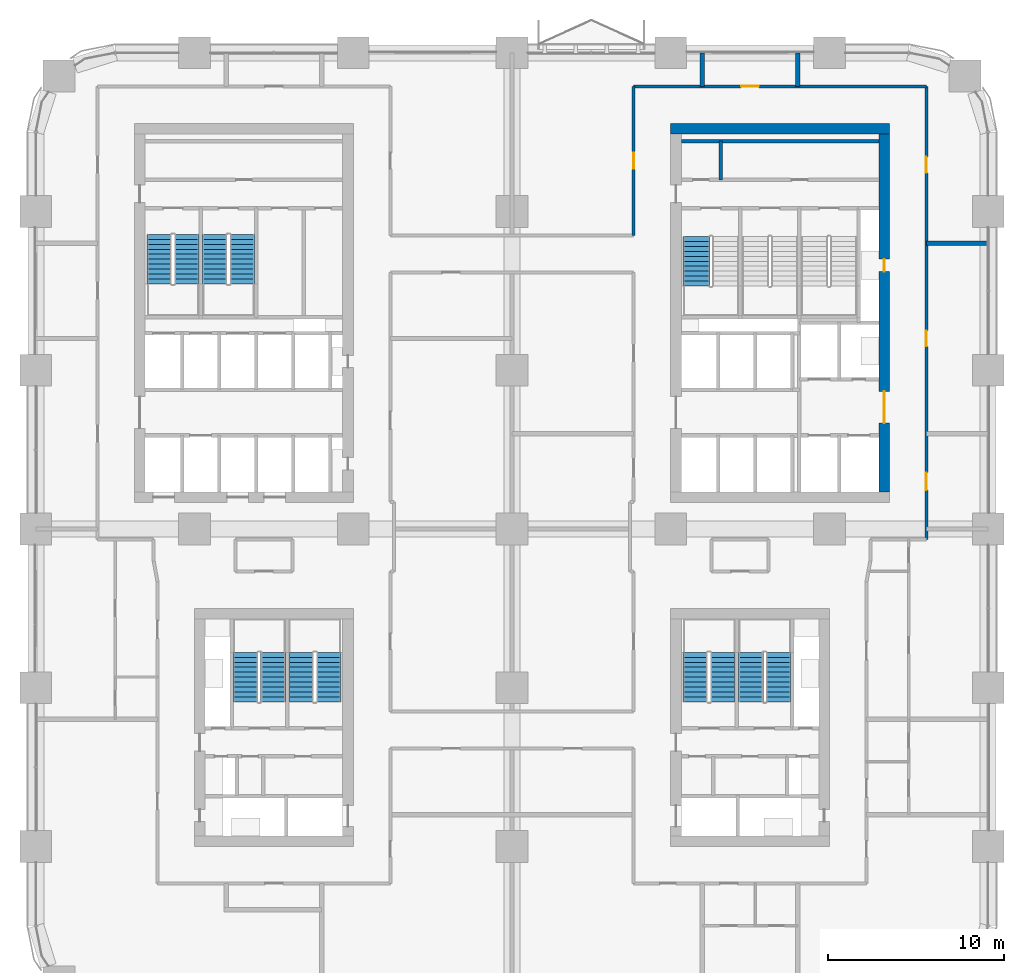
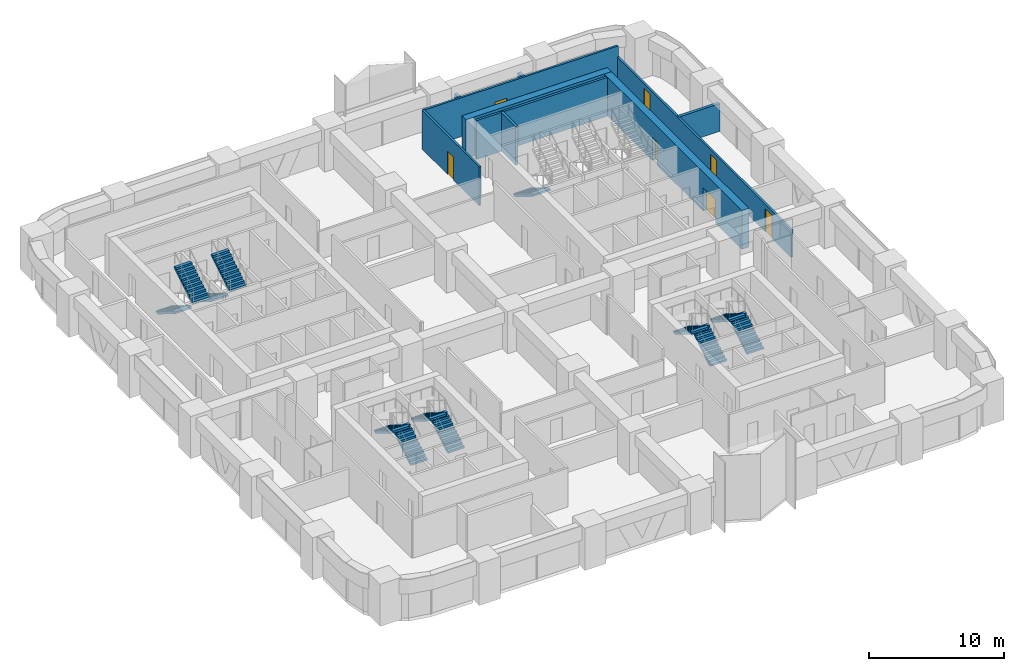
# One storey, part 18 of 22: 13 stair flights, 10 walls, 7 doors, 7 openings, 7 elements without a shape of their own.
"""IFC4 building model written with IfcOpenShell, lengths in metres."""

from ifc_helpers import new_model, si_unit, direction, frame, frame_2d, origin, place, context, subcontext, project, spatial, polyline, rectangle, outline, extrude, material, layer, layer_set, type_object, element, fill, aggregate, save


model = new_model("IFC4")

# Units and contexts
model_context = context("Model", 3, precision=1e-05, world=origin(), true_north=direction((0.0, 1.0)))
body_context = subcontext(model_context, "Body", "Model", "MODEL_VIEW")
ifc_project = project(units=[si_unit("LENGTHUNIT", "METRE"), si_unit("AREAUNIT", "SQUARE_METRE"), si_unit("VOLUMEUNIT", "CUBIC_METRE"), si_unit("PLANEANGLEUNIT", "RADIAN"), si_unit("MASSUNIT", "GRAM", prefix="KILO")], contexts=[model_context])

# Site, building, storey
site_placement = place(None, origin())
site = spatial("IfcSite", under=ifc_project, at=site_placement, CompositionType="ELEMENT")
building_placement = place(site_placement, origin())
building = spatial("IfcBuilding", under=site, at=building_placement, Name="Tessera Arch", CompositionType="ELEMENT")
storey_placement = place(building_placement, frame((0.0, 0.0, 53.800048828125)))
storey = spatial("IfcBuildingStorey", under=building, at=storey_placement, Name="L11", CompositionType="ELEMENT", Elevation=53.800048828125)

# Walls
ifc_material_1 = material(Name="Gypsum board on steel stud", Category="steel")
ifc_layer_1 = layer(ifc_material_1, 0.125)
ifc_layer_set_1 = layer_set([ifc_layer_1], Name="Core partition 125 EI 60")
wall_type_1 = type_object("IfcWallType", Name="Core partition 125 EI 60", PredefinedType="PARTITIONING", material=ifc_layer_set_1)
wall_1_placement = place(storey_placement, frame((38.840087890625, 46.800048828125, 0.0), z_axis=(0.0, 0.0, 1.0), x_axis=(0.0, 1.0, 0.0)))
element("IfcWall", 1, at=wall_1_placement, inside=storey, type_object=wall_type_1, Name="L11 C1 partition wall 3", PredefinedType="PARTITIONING", context=body_context, shape_type="SweptSolid", body=[
    extrude(rectangle(XDim=2.199951171875, YDim=0.199951171875, at=frame_2d((1.10009765625, 0.0))), origin(), (0.0, 0.0, 1.0), 3.5),
])
wall_2_placement = place(storey_placement, frame((36.60009765625, 49.0, 0.0), z_axis=(0.0, 0.0, 1.0), x_axis=(1.0, 0.0, 0.0)))
element("IfcWall", 2, at=wall_2_placement, inside=storey, type_object=wall_type_1, Name="L11 C1 partition wall 32", PredefinedType="PARTITIONING", context=body_context, shape_type="SweptSolid", body=[
    extrude(rectangle(XDim=11.199951171875, YDim=0.199951171875, at=frame_2d((5.60009765625, 0.0))), origin(), (0.0, 0.0, 1.0), 3.5),
])
ifc_material_2 = material(Name="Concrete C70/85", Category="concrete")
ifc_layer_2 = layer(ifc_material_2, 0.60009765625)
ifc_layer_set_2 = layer_set([ifc_layer_2], Name="Core shell wall 600 C70-85")
wall_type_2 = type_object("IfcWallType", Name="Core shell wall 600 C70-85", PredefinedType="SHEAR", material=ifc_layer_set_2)
wall_3_placement = place(storey_placement, frame((36.0, 49.699951171875, 0.0), z_axis=(0.0, 0.0, 1.0), x_axis=(1.0, 0.0, 0.0)))
element("IfcWall", 3, at=wall_3_placement, inside=storey, type_object=wall_type_2, Name="L11 C1 core wall N", PredefinedType="SHEAR", context=body_context, shape_type="SweptSolid", body=[
    extrude(rectangle(XDim=12.39990234375, YDim=0.60009765625, at=frame_2d((6.199951171875, 0.0))), origin(), (0.0, 0.0, 1.0), 3.5),
])

# Wall, openings, doors
wall_4_placement = place(storey_placement, frame((48.10009765625, 29.10009765625, 0.0), z_axis=(0.0, 0.0, 1.0), x_axis=(0.0, 1.0, 0.0)))
wall_4 = element("IfcWall", 4, at=wall_4_placement, inside=storey, type_object=wall_type_2, Name="L11 C1 core wall E", PredefinedType="SHEAR", context=body_context, shape_type="SweptSolid", body=[
    extrude(rectangle(XDim=20.2998046875, YDim=0.60009765625, at=frame_2d((10.14990234375, 0.0))), origin(), (0.0, 0.0, 1.0), 3.5),
])
opening_1_placement = place(wall_4_placement, frame((12.5, 0.0, 0.0)))
opening_1 = element("IfcOpeningElement", 5, at=opening_1_placement, cuts=wall_4, Name="Opening L11-C08", PredefinedType="OPENING", context=body_context, shape_type="SweptSolid", body=[
    extrude(rectangle(XDim=0.699951171875, YDim=2.10009765625, at=frame_2d((0.35009765625, 1.050048828125))), frame((0.0, 0.31005859375, 0.0), z_axis=(0.0, -1.0, 0.0), x_axis=(1.0, 0.0, 0.0)), (0.0, 0.0, 1.0), 0.6201171875),
])
opening_2_placement = place(wall_4_placement, frame((3.89990234375, 0.0, 0.0)))
opening_2 = element("IfcOpeningElement", 6, at=opening_2_placement, cuts=wall_4, Name="Opening L11-C09", PredefinedType="OPENING", context=body_context, shape_type="SweptSolid", body=[
    extrude(rectangle(XDim=1.800048828125, YDim=2.10009765625, at=frame_2d((0.89990234375, 1.050048828125))), frame((0.0, 0.31005859375, 0.0), z_axis=(0.0, -1.0, 0.0), x_axis=(1.0, 0.0, 0.0)), (0.0, 0.0, 1.0), 0.6201171875),
])
ifc_material_3 = material(Name="Glazed steel door leaf", Category="steel")
door_type_1 = type_object("IfcDoorType", Name="Lobby double door FD60 1800 x 2100", OperationType="DOUBLE_DOOR_SINGLE_SWING", PredefinedType="DOOR", material=ifc_material_3)
door_1_placement = place(opening_2_placement, origin())
door_1 = element("IfcDoor", 7, at=door_1_placement, inside=storey, type_object=door_type_1, Name="L11 C1 door 9 C09 type D19", OperationType="DOUBLE_DOOR_SINGLE_SWING", OverallHeight=2.10009765625, OverallWidth=1.800048828125, PredefinedType="DOOR", context=body_context, shape_type="SweptSolid", body=[
    extrude(rectangle(XDim=1.800048828125, YDim=2.10009765625, at=frame_2d((0.89990234375, 1.050048828125))), frame((0.0, 0.02490234375, 0.0), z_axis=(0.0, -1.0, 0.0), x_axis=(1.0, 0.0, 0.0)), (0.0, 0.0, 1.0), 0.050048828125),
])
fill(opening_2, door_1)
ifc_material_4 = material(Name="Steel door leaf", Category="steel")
door_type_2 = type_object("IfcDoorType", Name="Service shaft door FD60 700 x 2100", OperationType="SINGLE_SWING_LEFT", PredefinedType="DOOR", material=ifc_material_4)
door_2_placement = place(opening_1_placement, origin())
door_2 = element("IfcDoor", 8, at=door_2_placement, inside=storey, type_object=door_type_2, Name="L11 C1 door 8 C08 type D07", OperationType="SINGLE_SWING_RIGHT", OverallHeight=2.10009765625, OverallWidth=0.699951171875, PredefinedType="DOOR", context=body_context, shape_type="SweptSolid", body=[
    extrude(rectangle(XDim=0.699951171875, YDim=2.10009765625, at=frame_2d((0.35009765625, 1.050048828125))), frame((0.0, 0.02490234375, 0.0), z_axis=(0.0, -1.0, 0.0), x_axis=(1.0, 0.0, 0.0)), (0.0, 0.0, 1.0), 0.050048828125),
])
fill(opening_1, door_2)

# Wall, opening, door
ifc_material_5 = material(Name="Gypsum board on deep steel stud with mineral wool", Category="steel")
ifc_layer_3 = layer(ifc_material_5, 0.175048828125)
ifc_layer_set_3 = layer_set([ifc_layer_3], Name="Corridor wall 175 EI 60")
wall_type_3 = type_object("IfcWallType", Name="Corridor wall 175 EI 60", PredefinedType="PARTITIONING", material=ifc_layer_set_3)
wall_5_placement = place(storey_placement, frame((33.89990234375, 52.10009765625, 0.0), z_axis=(0.0, 0.0, 1.0), x_axis=(1.0, 0.0, 0.0)))
wall_5 = element("IfcWall", 9, at=wall_5_placement, inside=storey, type_object=wall_type_3, Name="L11 partition 18", PredefinedType="PARTITIONING", context=body_context, shape_type="SweptSolid", body=[
    extrude(rectangle(XDim=16.60009765625, YDim=0.175048828125, at=frame_2d((8.300048828125, 0.0))), origin(), (0.0, 0.0, 1.0), 3.5),
])
opening_3_placement = place(wall_5_placement, frame((6.10009765625, 0.0, 0.0)))
opening_3 = element("IfcOpeningElement", 10, at=opening_3_placement, cuts=wall_5, Name="Opening L11-D037", PredefinedType="OPENING", context=body_context, shape_type="SweptSolid", body=[
    extrude(rectangle(XDim=1.0, YDim=2.10009765625, at=frame_2d((0.5, 1.050048828125))), frame((0.0, 0.097412109375, 0.0), z_axis=(0.0, -1.0, 0.0), x_axis=(1.0, 0.0, 0.0)), (0.0, 0.0, 1.0), 0.195068359375),
])
ifc_material_6 = material(Name="Fire-rated door leaf")
door_type_3 = type_object("IfcDoorType", Name="Entrance door FD30S 1000 x 2100", OperationType="SINGLE_SWING_LEFT", PredefinedType="DOOR", material=ifc_material_6)
door_3_placement = place(opening_3_placement, origin())
door_3 = element("IfcDoor", 11, at=door_3_placement, inside=storey, type_object=door_type_3, Name="L11 door D037 type D03", OperationType="SINGLE_SWING_LEFT", OverallHeight=2.10009765625, OverallWidth=1.0, PredefinedType="DOOR", context=body_context, shape_type="SweptSolid", body=[
    extrude(rectangle(XDim=1.0, YDim=2.10009765625, at=frame_2d((0.5, 1.050048828125))), frame((0.0, 0.02490234375, 0.0), z_axis=(0.0, -1.0, 0.0), x_axis=(1.0, 0.0, 0.0)), (0.0, 0.0, 1.0), 0.050048828125),
])
fill(opening_3, door_3)

wall_6_placement = place(storey_placement, frame((33.89990234375, 43.64990234375, 0.0), z_axis=(0.0, 0.0, 1.0), x_axis=(0.0, 1.0, 0.0)))
wall_6 = element("IfcWall", 12, at=wall_6_placement, inside=storey, type_object=wall_type_3, Name="L11 partition 33", PredefinedType="PARTITIONING", context=body_context, shape_type="SweptSolid", body=[
    extrude(rectangle(XDim=8.4501953125, YDim=0.175048828125, at=frame_2d((4.22509765625, 0.0))), origin(), (0.0, 0.0, 1.0), 3.5),
])
opening_4_placement = place(wall_6_placement, frame((3.77490234375, 0.0, 0.0)))
opening_4 = element("IfcOpeningElement", 13, at=opening_4_placement, cuts=wall_6, Name="Opening L11-D033", PredefinedType="OPENING", context=body_context, shape_type="SweptSolid", body=[
    extrude(rectangle(XDim=0.89990234375, YDim=2.10009765625, at=frame_2d((0.449951171875, 1.050048828125))), frame((0.0, 0.097412109375, 0.0), z_axis=(0.0, -1.0, 0.0), x_axis=(1.0, 0.0, 0.0)), (0.0, 0.0, 1.0), 0.195068359375),
])
ifc_material_7 = material(Name="Timber door leaf", Category="wood")
door_type_4 = type_object("IfcDoorType", Name="Room door 900 x 2100", OperationType="SINGLE_SWING_LEFT", PredefinedType="DOOR", material=ifc_material_7)
door_4_placement = place(opening_4_placement, origin())
door_4 = element("IfcDoor", 14, at=door_4_placement, inside=storey, type_object=door_type_4, Name="L11 door D033 type D01", OperationType="SINGLE_SWING_LEFT", OverallHeight=2.10009765625, OverallWidth=0.89990234375, PredefinedType="DOOR", context=body_context, shape_type="SweptSolid", body=[
    extrude(rectangle(XDim=0.89990234375, YDim=2.10009765625, at=frame_2d((0.449951171875, 1.050048828125))), frame((0.0, 0.02490234375, 0.0), z_axis=(0.0, -1.0, 0.0), x_axis=(1.0, 0.0, 0.0)), (0.0, 0.0, 1.0), 0.050048828125),
])
fill(opening_4, door_4)

# Wall, openings, doors
wall_7_placement = place(storey_placement, frame((50.5, 26.39990234375, 0.0), z_axis=(0.0, 0.0, 1.0), x_axis=(0.0, 1.0, 0.0)))
wall_7 = element("IfcWall", 15, at=wall_7_placement, inside=storey, type_object=wall_type_3, Name="L11 partition 38", PredefinedType="PARTITIONING", context=body_context, shape_type="SweptSolid", body=[
    extrude(rectangle(XDim=25.7001953125, YDim=0.175048828125, at=frame_2d((12.85009765625, 0.0))), origin(), (0.0, 0.0, 1.0), 2.5),
])
opening_5_placement = place(wall_7_placement, frame((2.800048828125, 0.0, 0.0)))
opening_5 = element("IfcOpeningElement", 16, at=opening_5_placement, cuts=wall_7, Name="Opening L11-D025", PredefinedType="OPENING", context=body_context, shape_type="SweptSolid", body=[
    extrude(rectangle(XDim=1.0, YDim=2.10009765625, at=frame_2d((0.5, 1.050048828125))), frame((0.0, 0.097412109375, 0.0), z_axis=(0.0, -1.0, 0.0), x_axis=(1.0, 0.0, 0.0)), (0.0, 0.0, 1.0), 0.195068359375),
])
opening_6_placement = place(wall_7_placement, frame((10.949951171875, 0.0, 0.0)))
opening_6 = element("IfcOpeningElement", 17, at=opening_6_placement, cuts=wall_7, Name="Opening L11-D029", PredefinedType="OPENING", context=body_context, shape_type="SweptSolid", body=[
    extrude(rectangle(XDim=0.89990234375, YDim=2.10009765625, at=frame_2d((0.449951171875, 1.050048828125))), frame((0.0, 0.097412109375, 0.0), z_axis=(0.0, -1.0, 0.0), x_axis=(1.0, 0.0, 0.0)), (0.0, 0.0, 1.0), 0.195068359375),
])
opening_7_placement = place(wall_7_placement, frame((20.800048828125, 0.0, 0.0)))
opening_7 = element("IfcOpeningElement", 18, at=opening_7_placement, cuts=wall_7, Name="Opening L11-D035", PredefinedType="OPENING", context=body_context, shape_type="SweptSolid", body=[
    extrude(rectangle(XDim=0.89990234375, YDim=2.10009765625, at=frame_2d((0.449951171875, 1.050048828125))), frame((0.0, 0.097412109375, 0.0), z_axis=(0.0, -1.0, 0.0), x_axis=(1.0, 0.0, 0.0)), (0.0, 0.0, 1.0), 0.195068359375),
])
door_5_placement = place(opening_5_placement, origin())
door_5 = element("IfcDoor", 19, at=door_5_placement, inside=storey, type_object=door_type_3, Name="L11 door D025 type D03", OperationType="SINGLE_SWING_RIGHT", OverallHeight=2.10009765625, OverallWidth=1.0, PredefinedType="DOOR", context=body_context, shape_type="SweptSolid", body=[
    extrude(rectangle(XDim=1.0, YDim=2.10009765625, at=frame_2d((0.5, 1.050048828125))), frame((0.0, 0.02490234375, 0.0), z_axis=(0.0, -1.0, 0.0), x_axis=(1.0, 0.0, 0.0)), (0.0, 0.0, 1.0), 0.050048828125),
])
fill(opening_5, door_5)
door_6_placement = place(opening_6_placement, origin())
door_6 = element("IfcDoor", 20, at=door_6_placement, inside=storey, type_object=door_type_4, Name="L11 door D029 type D01", OperationType="SINGLE_SWING_RIGHT", OverallHeight=2.10009765625, OverallWidth=0.89990234375, PredefinedType="DOOR", context=body_context, shape_type="SweptSolid", body=[
    extrude(rectangle(XDim=0.89990234375, YDim=2.10009765625, at=frame_2d((0.449951171875, 1.050048828125))), frame((0.0, 0.02490234375, 0.0), z_axis=(0.0, -1.0, 0.0), x_axis=(1.0, 0.0, 0.0)), (0.0, 0.0, 1.0), 0.050048828125),
])
fill(opening_6, door_6)
door_7_placement = place(opening_7_placement, origin())
door_7 = element("IfcDoor", 21, at=door_7_placement, inside=storey, type_object=door_type_4, Name="L11 door D035 type D01", OperationType="SINGLE_SWING_RIGHT", OverallHeight=2.10009765625, OverallWidth=0.89990234375, PredefinedType="DOOR", context=body_context, shape_type="SweptSolid", body=[
    extrude(rectangle(XDim=0.89990234375, YDim=2.10009765625, at=frame_2d((0.449951171875, 1.050048828125))), frame((0.0, 0.02490234375, 0.0), z_axis=(0.0, -1.0, 0.0), x_axis=(1.0, 0.0, 0.0)), (0.0, 0.0, 1.0), 0.050048828125),
])
fill(opening_7, door_7)

# Walls
ifc_material_8 = material(Name="Double gypsum board on twin steel stud with acoustic mineral wool", Category="steel")
ifc_layer_4 = layer(ifc_material_8, 0.25)
ifc_layer_set_4 = layer_set([ifc_layer_4], Name="Party wall 250 EI 60")
wall_type_4 = type_object("IfcWallType", Name="Party wall 250 EI 60", PredefinedType="PARTITIONING", material=ifc_layer_set_4)
wall_8_placement = place(storey_placement, frame((50.5, 43.199951171875, 0.0), z_axis=(0.0, 0.0, 1.0), x_axis=(1.0, 0.0, 0.0)))
element("IfcWall", 22, at=wall_8_placement, inside=storey, type_object=wall_type_4, Name="L11 partition 56", PredefinedType="PARTITIONING", context=body_context, shape_type="SweptSolid", body=[
    extrude(rectangle(XDim=3.5, YDim=0.25, at=frame_2d((1.75, 0.0))), origin(), (0.0, 0.0, 1.0), 2.5),
])
for number, where, z_axis, x_axis, name in (
    (23, (37.800048828125, 52.10009765625, 0.0), (0.0, 0.0, 1.0), (0.0, 1.0, 0.0), "L11 partition 65"),
    (24, (43.199951171875, 52.10009765625, 0.0), (0.0, 0.0, 1.0), (0.0, 1.0, 0.0), "L11 partition 67"),
):
    element("IfcWall", number, at=place(storey_placement, frame(where, z_axis=z_axis, x_axis=x_axis)), inside=storey, type_object=wall_type_4, Name=name, PredefinedType="PARTITIONING", context=body_context, shape_type="SweptSolid", body=[
        extrude(rectangle(XDim=1.89990234375, YDim=0.25, at=frame_2d((0.949951171875, 0.0))), origin(), (0.0, 0.0, 1.0), 2.5),
    ])

# Stair, stair flights
ifc_material_9 = material(Name="Concrete C40/50", Category="concrete")
stair_type_1 = type_object("IfcStairType", Name="Dogleg stair 1400", PredefinedType="HALF_TURN_STAIR", material=ifc_material_9)
stair_1_placement = place(storey_placement, origin())
stair_1 = element("IfcStair", 25, at=stair_1_placement, inside=storey, type_object=stair_type_1, Name="L11 S2a", PredefinedType="HALF_TURN_STAIR")
ifc_material_10 = material(Name="Concrete C40/50", Category="concrete")
stair_flight_type_1 = type_object("IfcStairFlightType", Name="Stair flight 1400", PredefinedType="STRAIGHT", material=ifc_material_10)
stair_flight_1_placement = place(storey_placement, frame((7.0, 43.699951171875, 0.0), z_axis=(0.0, 0.0, 1.0), x_axis=(0.0, -1.0, 0.0)))
stair_flight_1 = element("IfcStairFlight", 26, at=stair_flight_1_placement, type_object=stair_flight_type_1, Name="S2a flight 1", NumberOfRisers=11, NumberOfTreads=10, PredefinedType="STRAIGHT", RiserHeight=0.172727273, TreadLength=0.28, context=body_context, shape_type="SweptSolid", body=[
    extrude(outline(polyline([(0.0, 0.0), (0.0, 0.172607421875), (0.280029296875, 0.172607421875), (0.280029296875, 0.345458984375), (0.56005859375, 0.345458984375), (0.56005859375, 0.51806640625), (0.840087890625, 0.51806640625), (0.840087890625, 0.69091796875), (1.1201171875, 0.69091796875), (1.1201171875, 0.863525390625), (1.39990234375, 0.863525390625), (1.39990234375, 1.036376953125), (1.679931640625, 1.036376953125), (1.679931640625, 1.208984375), (1.9599609375, 1.208984375), (1.9599609375, 1.3818359375), (2.239990234375, 1.3818359375), (2.239990234375, 1.554443359375), (2.52001953125, 1.554443359375), (2.52001953125, 1.727294921875), (2.800048828125, 1.727294921875), (2.800048828125, 1.89990234375), (2.800048828125, 1.551025390625), (0.285400390625, 0.0), (0.0, 0.0)])), frame((0.0, 0.699951171875, 0.0), z_axis=(0.0, -1.0, 0.0), x_axis=(1.0, 0.0, 0.0)), (0.0, 0.0, 1.0), 1.39990234375),
])
stair_flight_2_placement = place(storey_placement, frame((8.550048828125, 40.89990234375, 1.89990234375), z_axis=(0.0, 0.0, 1.0), x_axis=(0.0, 1.0, 0.0)))
stair_flight_2 = element("IfcStairFlight", 27, at=stair_flight_2_placement, type_object=stair_flight_type_1, Name="S2a flight 2", NumberOfRisers=11, NumberOfTreads=10, PredefinedType="STRAIGHT", RiserHeight=0.172727273, TreadLength=0.28, context=body_context, shape_type="SweptSolid", body=[
    extrude(outline(polyline([(0.0, 0.0), (0.0, 0.172607421875), (0.280029296875, 0.172607421875), (0.280029296875, 0.345458984375), (0.56005859375, 0.345458984375), (0.56005859375, 0.51806640625), (0.840087890625, 0.51806640625), (0.840087890625, 0.69091796875), (1.1201171875, 0.69091796875), (1.1201171875, 0.863525390625), (1.39990234375, 0.863525390625), (1.39990234375, 1.036376953125), (1.679931640625, 1.036376953125), (1.679931640625, 1.208984375), (1.9599609375, 1.208984375), (1.9599609375, 1.3818359375), (2.239990234375, 1.3818359375), (2.239990234375, 1.554443359375), (2.52001953125, 1.554443359375), (2.52001953125, 1.727294921875), (2.800048828125, 1.727294921875), (2.800048828125, 1.89990234375), (2.800048828125, 1.551025390625), (0.285400390625, 0.0), (0.0, 0.0)])), frame((0.0, 0.699951171875, 0.0), z_axis=(0.0, -1.0, 0.0), x_axis=(1.0, 0.0, 0.0)), (0.0, 0.0, 1.0), 1.39990234375),
])
aggregate(stair_1, [stair_flight_1, stair_flight_2])

stair_2_placement = place(storey_placement, origin())
stair_2 = element("IfcStair", 28, at=stair_2_placement, inside=storey, type_object=stair_type_1, Name="L11 S2b", PredefinedType="HALF_TURN_STAIR")
stair_flight_3_placement = place(storey_placement, frame((10.14990234375, 43.699951171875, 0.0), z_axis=(0.0, 0.0, 1.0), x_axis=(0.0, -1.0, 0.0)))
stair_flight_3 = element("IfcStairFlight", 29, at=stair_flight_3_placement, type_object=stair_flight_type_1, Name="S2b flight 1", NumberOfRisers=11, NumberOfTreads=10, PredefinedType="STRAIGHT", RiserHeight=0.172727273, TreadLength=0.28, context=body_context, shape_type="SweptSolid", body=[
    extrude(outline(polyline([(0.0, 0.0), (0.0, 0.172607421875), (0.280029296875, 0.172607421875), (0.280029296875, 0.345458984375), (0.56005859375, 0.345458984375), (0.56005859375, 0.51806640625), (0.840087890625, 0.51806640625), (0.840087890625, 0.69091796875), (1.1201171875, 0.69091796875), (1.1201171875, 0.863525390625), (1.39990234375, 0.863525390625), (1.39990234375, 1.036376953125), (1.679931640625, 1.036376953125), (1.679931640625, 1.208984375), (1.9599609375, 1.208984375), (1.9599609375, 1.3818359375), (2.239990234375, 1.3818359375), (2.239990234375, 1.554443359375), (2.52001953125, 1.554443359375), (2.52001953125, 1.727294921875), (2.800048828125, 1.727294921875), (2.800048828125, 1.89990234375), (2.800048828125, 1.551025390625), (0.285400390625, 0.0), (0.0, 0.0)])), frame((0.0, 0.699951171875, 0.0), z_axis=(0.0, -1.0, 0.0), x_axis=(1.0, 0.0, 0.0)), (0.0, 0.0, 1.0), 1.39990234375),
])
stair_flight_4_placement = place(storey_placement, frame((11.699951171875, 40.89990234375, 1.89990234375), z_axis=(0.0, 0.0, 1.0), x_axis=(0.0, 1.0, 0.0)))
stair_flight_4 = element("IfcStairFlight", 30, at=stair_flight_4_placement, type_object=stair_flight_type_1, Name="S2b flight 2", NumberOfRisers=11, NumberOfTreads=10, PredefinedType="STRAIGHT", RiserHeight=0.172727273, TreadLength=0.28, context=body_context, shape_type="SweptSolid", body=[
    extrude(outline(polyline([(0.0, 0.0), (0.0, 0.172607421875), (0.280029296875, 0.172607421875), (0.280029296875, 0.345458984375), (0.56005859375, 0.345458984375), (0.56005859375, 0.51806640625), (0.840087890625, 0.51806640625), (0.840087890625, 0.69091796875), (1.1201171875, 0.69091796875), (1.1201171875, 0.863525390625), (1.39990234375, 0.863525390625), (1.39990234375, 1.036376953125), (1.679931640625, 1.036376953125), (1.679931640625, 1.208984375), (1.9599609375, 1.208984375), (1.9599609375, 1.3818359375), (2.239990234375, 1.3818359375), (2.239990234375, 1.554443359375), (2.52001953125, 1.554443359375), (2.52001953125, 1.727294921875), (2.800048828125, 1.727294921875), (2.800048828125, 1.89990234375), (2.800048828125, 1.551025390625), (0.285400390625, 0.0), (0.0, 0.0)])), frame((0.0, 0.699951171875, 0.0), z_axis=(0.0, -1.0, 0.0), x_axis=(1.0, 0.0, 0.0)), (0.0, 0.0, 1.0), 1.39990234375),
])
aggregate(stair_2, [stair_flight_3, stair_flight_4])

stair_3_placement = place(storey_placement, origin())
stair_3 = element("IfcStair", 31, at=stair_3_placement, inside=storey, type_object=stair_type_1, Name="L11 S3a", PredefinedType="HALF_TURN_STAIR")
stair_flight_5_placement = place(storey_placement, frame((38.949951171875, 17.199951171875, 0.0), z_axis=(0.0, 0.0, 1.0), x_axis=(0.0, 1.0, 0.0)))
stair_flight_5 = element("IfcStairFlight", 32, at=stair_flight_5_placement, type_object=stair_flight_type_1, Name="S3a flight 1", NumberOfRisers=11, NumberOfTreads=10, PredefinedType="STRAIGHT", RiserHeight=0.172727273, TreadLength=0.28, context=body_context, shape_type="SweptSolid", body=[
    extrude(outline(polyline([(0.0, 0.0), (0.0, 0.172607421875), (0.280029296875, 0.172607421875), (0.280029296875, 0.345458984375), (0.56005859375, 0.345458984375), (0.56005859375, 0.51806640625), (0.840087890625, 0.51806640625), (0.840087890625, 0.69091796875), (1.1201171875, 0.69091796875), (1.1201171875, 0.863525390625), (1.39990234375, 0.863525390625), (1.39990234375, 1.036376953125), (1.679931640625, 1.036376953125), (1.679931640625, 1.208984375), (1.9599609375, 1.208984375), (1.9599609375, 1.3818359375), (2.239990234375, 1.3818359375), (2.239990234375, 1.554443359375), (2.52001953125, 1.554443359375), (2.52001953125, 1.727294921875), (2.800048828125, 1.727294921875), (2.800048828125, 1.89990234375), (2.800048828125, 1.551025390625), (0.285400390625, 0.0), (0.0, 0.0)])), frame((0.0, 0.699951171875, 0.0), z_axis=(0.0, -1.0, 0.0), x_axis=(1.0, 0.0, 0.0)), (0.0, 0.0, 1.0), 1.39990234375),
])
stair_flight_6_placement = place(storey_placement, frame((37.39990234375, 20.0, 1.89990234375), z_axis=(0.0, 0.0, 1.0), x_axis=(0.0, -1.0, 0.0)))
stair_flight_6 = element("IfcStairFlight", 33, at=stair_flight_6_placement, type_object=stair_flight_type_1, Name="S3a flight 2", NumberOfRisers=11, NumberOfTreads=10, PredefinedType="STRAIGHT", RiserHeight=0.172727273, TreadLength=0.28, context=body_context, shape_type="SweptSolid", body=[
    extrude(outline(polyline([(0.0, 0.0), (0.0, 0.172607421875), (0.280029296875, 0.172607421875), (0.280029296875, 0.345458984375), (0.56005859375, 0.345458984375), (0.56005859375, 0.51806640625), (0.840087890625, 0.51806640625), (0.840087890625, 0.69091796875), (1.1201171875, 0.69091796875), (1.1201171875, 0.863525390625), (1.39990234375, 0.863525390625), (1.39990234375, 1.036376953125), (1.679931640625, 1.036376953125), (1.679931640625, 1.208984375), (1.9599609375, 1.208984375), (1.9599609375, 1.3818359375), (2.239990234375, 1.3818359375), (2.239990234375, 1.554443359375), (2.52001953125, 1.554443359375), (2.52001953125, 1.727294921875), (2.800048828125, 1.727294921875), (2.800048828125, 1.89990234375), (2.800048828125, 1.551025390625), (0.285400390625, 0.0), (0.0, 0.0)])), frame((0.0, 0.699951171875, 0.0), z_axis=(0.0, -1.0, 0.0), x_axis=(1.0, 0.0, 0.0)), (0.0, 0.0, 1.0), 1.39990234375),
])
aggregate(stair_3, [stair_flight_5, stair_flight_6])

stair_4_placement = place(storey_placement, origin())
stair_4 = element("IfcStair", 34, at=stair_4_placement, inside=storey, type_object=stair_type_1, Name="L11 S3b", PredefinedType="HALF_TURN_STAIR")
stair_flight_7_placement = place(storey_placement, frame((42.10009765625, 17.199951171875, 0.0), z_axis=(0.0, 0.0, 1.0), x_axis=(0.0, 1.0, 0.0)))
stair_flight_7 = element("IfcStairFlight", 35, at=stair_flight_7_placement, type_object=stair_flight_type_1, Name="S3b flight 1", NumberOfRisers=11, NumberOfTreads=10, PredefinedType="STRAIGHT", RiserHeight=0.172727273, TreadLength=0.28, context=body_context, shape_type="SweptSolid", body=[
    extrude(outline(polyline([(0.0, 0.0), (0.0, 0.172607421875), (0.280029296875, 0.172607421875), (0.280029296875, 0.345458984375), (0.56005859375, 0.345458984375), (0.56005859375, 0.51806640625), (0.840087890625, 0.51806640625), (0.840087890625, 0.69091796875), (1.1201171875, 0.69091796875), (1.1201171875, 0.863525390625), (1.39990234375, 0.863525390625), (1.39990234375, 1.036376953125), (1.679931640625, 1.036376953125), (1.679931640625, 1.208984375), (1.9599609375, 1.208984375), (1.9599609375, 1.3818359375), (2.239990234375, 1.3818359375), (2.239990234375, 1.554443359375), (2.52001953125, 1.554443359375), (2.52001953125, 1.727294921875), (2.800048828125, 1.727294921875), (2.800048828125, 1.89990234375), (2.800048828125, 1.551025390625), (0.285400390625, 0.0), (0.0, 0.0)])), frame((0.0, 0.699951171875, 0.0), z_axis=(0.0, -1.0, 0.0), x_axis=(1.0, 0.0, 0.0)), (0.0, 0.0, 1.0), 1.39990234375),
])
stair_flight_8_placement = place(storey_placement, frame((40.550048828125, 20.0, 1.89990234375), z_axis=(0.0, 0.0, 1.0), x_axis=(0.0, -1.0, 0.0)))
stair_flight_8 = element("IfcStairFlight", 36, at=stair_flight_8_placement, type_object=stair_flight_type_1, Name="S3b flight 2", NumberOfRisers=11, NumberOfTreads=10, PredefinedType="STRAIGHT", RiserHeight=0.172727273, TreadLength=0.28, context=body_context, shape_type="SweptSolid", body=[
    extrude(outline(polyline([(0.0, 0.0), (0.0, 0.172607421875), (0.280029296875, 0.172607421875), (0.280029296875, 0.345458984375), (0.56005859375, 0.345458984375), (0.56005859375, 0.51806640625), (0.840087890625, 0.51806640625), (0.840087890625, 0.69091796875), (1.1201171875, 0.69091796875), (1.1201171875, 0.863525390625), (1.39990234375, 0.863525390625), (1.39990234375, 1.036376953125), (1.679931640625, 1.036376953125), (1.679931640625, 1.208984375), (1.9599609375, 1.208984375), (1.9599609375, 1.3818359375), (2.239990234375, 1.3818359375), (2.239990234375, 1.554443359375), (2.52001953125, 1.554443359375), (2.52001953125, 1.727294921875), (2.800048828125, 1.727294921875), (2.800048828125, 1.89990234375), (2.800048828125, 1.551025390625), (0.285400390625, 0.0), (0.0, 0.0)])), frame((0.0, 0.699951171875, 0.0), z_axis=(0.0, -1.0, 0.0), x_axis=(1.0, 0.0, 0.0)), (0.0, 0.0, 1.0), 1.39990234375),
])
aggregate(stair_4, [stair_flight_7, stair_flight_8])

stair_5_placement = place(storey_placement, origin())
stair_5 = element("IfcStair", 37, at=stair_5_placement, inside=storey, type_object=stair_type_1, Name="L11 S4a", PredefinedType="HALF_TURN_STAIR")
stair_flight_9_placement = place(storey_placement, frame((16.60009765625, 17.199951171875, 0.0), z_axis=(0.0, 0.0, 1.0), x_axis=(0.0, 1.0, 0.0)))
stair_flight_9 = element("IfcStairFlight", 38, at=stair_flight_9_placement, type_object=stair_flight_type_1, Name="S4a flight 1", NumberOfRisers=11, NumberOfTreads=10, PredefinedType="STRAIGHT", RiserHeight=0.172727273, TreadLength=0.28, context=body_context, shape_type="SweptSolid", body=[
    extrude(outline(polyline([(0.0, 0.0), (0.0, 0.172607421875), (0.280029296875, 0.172607421875), (0.280029296875, 0.345458984375), (0.56005859375, 0.345458984375), (0.56005859375, 0.51806640625), (0.840087890625, 0.51806640625), (0.840087890625, 0.69091796875), (1.1201171875, 0.69091796875), (1.1201171875, 0.863525390625), (1.39990234375, 0.863525390625), (1.39990234375, 1.036376953125), (1.679931640625, 1.036376953125), (1.679931640625, 1.208984375), (1.9599609375, 1.208984375), (1.9599609375, 1.3818359375), (2.239990234375, 1.3818359375), (2.239990234375, 1.554443359375), (2.52001953125, 1.554443359375), (2.52001953125, 1.727294921875), (2.800048828125, 1.727294921875), (2.800048828125, 1.89990234375), (2.800048828125, 1.551025390625), (0.285400390625, 0.0), (0.0, 0.0)])), frame((0.0, 0.699951171875, 0.0), z_axis=(0.0, -1.0, 0.0), x_axis=(1.0, 0.0, 0.0)), (0.0, 0.0, 1.0), 1.39990234375),
])
stair_flight_10_placement = place(storey_placement, frame((15.050048828125, 20.0, 1.89990234375), z_axis=(0.0, 0.0, 1.0), x_axis=(0.0, -1.0, 0.0)))
stair_flight_10 = element("IfcStairFlight", 39, at=stair_flight_10_placement, type_object=stair_flight_type_1, Name="S4a flight 2", NumberOfRisers=11, NumberOfTreads=10, PredefinedType="STRAIGHT", RiserHeight=0.172727273, TreadLength=0.28, context=body_context, shape_type="SweptSolid", body=[
    extrude(outline(polyline([(0.0, 0.0), (0.0, 0.172607421875), (0.280029296875, 0.172607421875), (0.280029296875, 0.345458984375), (0.56005859375, 0.345458984375), (0.56005859375, 0.51806640625), (0.840087890625, 0.51806640625), (0.840087890625, 0.69091796875), (1.1201171875, 0.69091796875), (1.1201171875, 0.863525390625), (1.39990234375, 0.863525390625), (1.39990234375, 1.036376953125), (1.679931640625, 1.036376953125), (1.679931640625, 1.208984375), (1.9599609375, 1.208984375), (1.9599609375, 1.3818359375), (2.239990234375, 1.3818359375), (2.239990234375, 1.554443359375), (2.52001953125, 1.554443359375), (2.52001953125, 1.727294921875), (2.800048828125, 1.727294921875), (2.800048828125, 1.89990234375), (2.800048828125, 1.551025390625), (0.285400390625, 0.0), (0.0, 0.0)])), frame((0.0, 0.699951171875, 0.0), z_axis=(0.0, -1.0, 0.0), x_axis=(1.0, 0.0, 0.0)), (0.0, 0.0, 1.0), 1.39990234375),
])
aggregate(stair_5, [stair_flight_9, stair_flight_10])

stair_6_placement = place(storey_placement, origin())
stair_6 = element("IfcStair", 40, at=stair_6_placement, inside=storey, type_object=stair_type_1, Name="L11 S4b", PredefinedType="HALF_TURN_STAIR")
stair_flight_11_placement = place(storey_placement, frame((13.449951171875, 17.199951171875, 0.0), z_axis=(0.0, 0.0, 1.0), x_axis=(0.0, 1.0, 0.0)))
stair_flight_11 = element("IfcStairFlight", 41, at=stair_flight_11_placement, type_object=stair_flight_type_1, Name="S4b flight 1", NumberOfRisers=11, NumberOfTreads=10, PredefinedType="STRAIGHT", RiserHeight=0.172727273, TreadLength=0.28, context=body_context, shape_type="SweptSolid", body=[
    extrude(outline(polyline([(0.0, 0.0), (0.0, 0.172607421875), (0.280029296875, 0.172607421875), (0.280029296875, 0.345458984375), (0.56005859375, 0.345458984375), (0.56005859375, 0.51806640625), (0.840087890625, 0.51806640625), (0.840087890625, 0.69091796875), (1.1201171875, 0.69091796875), (1.1201171875, 0.863525390625), (1.39990234375, 0.863525390625), (1.39990234375, 1.036376953125), (1.679931640625, 1.036376953125), (1.679931640625, 1.208984375), (1.9599609375, 1.208984375), (1.9599609375, 1.3818359375), (2.239990234375, 1.3818359375), (2.239990234375, 1.554443359375), (2.52001953125, 1.554443359375), (2.52001953125, 1.727294921875), (2.800048828125, 1.727294921875), (2.800048828125, 1.89990234375), (2.800048828125, 1.551025390625), (0.285400390625, 0.0), (0.0, 0.0)])), frame((0.0, 0.699951171875, 0.0), z_axis=(0.0, -1.0, 0.0), x_axis=(1.0, 0.0, 0.0)), (0.0, 0.0, 1.0), 1.39990234375),
])
stair_flight_12_placement = place(storey_placement, frame((11.89990234375, 20.0, 1.89990234375), z_axis=(0.0, 0.0, 1.0), x_axis=(0.0, -1.0, 0.0)))
stair_flight_12 = element("IfcStairFlight", 42, at=stair_flight_12_placement, type_object=stair_flight_type_1, Name="S4b flight 2", NumberOfRisers=11, NumberOfTreads=10, PredefinedType="STRAIGHT", RiserHeight=0.172727273, TreadLength=0.28, context=body_context, shape_type="SweptSolid", body=[
    extrude(outline(polyline([(0.0, 0.0), (0.0, 0.172607421875), (0.280029296875, 0.172607421875), (0.280029296875, 0.345458984375), (0.56005859375, 0.345458984375), (0.56005859375, 0.51806640625), (0.840087890625, 0.51806640625), (0.840087890625, 0.69091796875), (1.1201171875, 0.69091796875), (1.1201171875, 0.863525390625), (1.39990234375, 0.863525390625), (1.39990234375, 1.036376953125), (1.679931640625, 1.036376953125), (1.679931640625, 1.208984375), (1.9599609375, 1.208984375), (1.9599609375, 1.3818359375), (2.239990234375, 1.3818359375), (2.239990234375, 1.554443359375), (2.52001953125, 1.554443359375), (2.52001953125, 1.727294921875), (2.800048828125, 1.727294921875), (2.800048828125, 1.89990234375), (2.800048828125, 1.551025390625), (0.285400390625, 0.0), (0.0, 0.0)])), frame((0.0, 0.699951171875, 0.0), z_axis=(0.0, -1.0, 0.0), x_axis=(1.0, 0.0, 0.0)), (0.0, 0.0, 1.0), 1.39990234375),
])
aggregate(stair_6, [stair_flight_11, stair_flight_12])

# Stair, stair flight
ifc_material_11 = material(Name="Concrete C40/50", Category="concrete")
stair_type_2 = type_object("IfcStairType", Name="Dogleg stair 1520", PredefinedType="HALF_TURN_STAIR", material=ifc_material_11)
stair_7_placement = place(storey_placement, origin())
stair_7 = element("IfcStair", 43, at=stair_7_placement, inside=storey, type_object=stair_type_2, Name="L11 S1a", PredefinedType="HALF_TURN_STAIR")
ifc_material_12 = material(Name="Concrete C40/50", Category="concrete")
stair_flight_type_2 = type_object("IfcStairFlightType", Name="Stair flight 1520", PredefinedType="STRAIGHT", material=ifc_material_12)
stair_flight_13_placement = place(storey_placement, frame((37.4599609375, 43.580078125, 0.0), z_axis=(0.0, 0.0, 1.0), x_axis=(0.0, -1.0, 0.0)))
stair_flight_13 = element("IfcStairFlight", 44, at=stair_flight_13_placement, type_object=stair_flight_type_2, Name="S1a flight 1", NumberOfRisers=11, NumberOfTreads=10, PredefinedType="STRAIGHT", RiserHeight=0.172727273, TreadLength=0.28, context=body_context, shape_type="SweptSolid", body=[
    extrude(outline(polyline([(0.0, 0.0), (0.0, 0.172607421875), (0.280029296875, 0.172607421875), (0.280029296875, 0.345458984375), (0.56005859375, 0.345458984375), (0.56005859375, 0.51806640625), (0.840087890625, 0.51806640625), (0.840087890625, 0.69091796875), (1.1201171875, 0.69091796875), (1.1201171875, 0.863525390625), (1.39990234375, 0.863525390625), (1.39990234375, 1.036376953125), (1.679931640625, 1.036376953125), (1.679931640625, 1.208984375), (1.9599609375, 1.208984375), (1.9599609375, 1.3818359375), (2.239990234375, 1.3818359375), (2.239990234375, 1.554443359375), (2.52001953125, 1.554443359375), (2.52001953125, 1.727294921875), (2.800048828125, 1.727294921875), (2.800048828125, 1.89990234375), (2.800048828125, 1.551025390625), (0.285400390625, 0.0), (0.0, 0.0)])), frame((0.0, 0.760009765625, 0.0), z_axis=(0.0, -1.0, 0.0), x_axis=(1.0, 0.0, 0.0)), (0.0, 0.0, 1.0), 1.52001953125),
])
aggregate(stair_7, [stair_flight_13])

save(model, "model.ifc")
